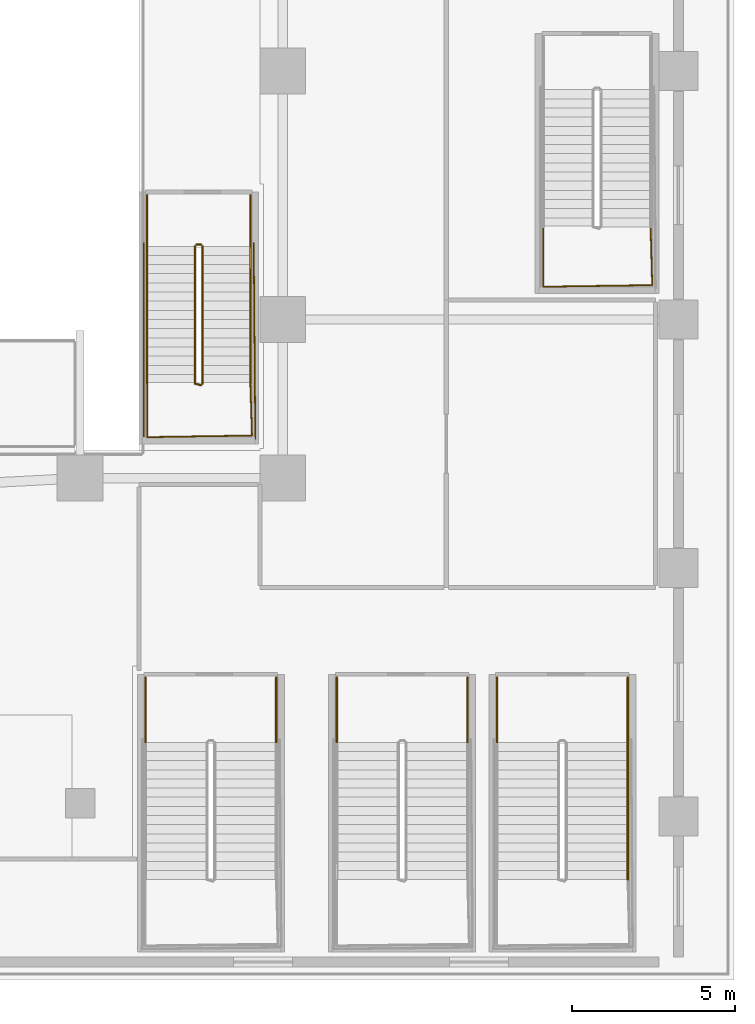
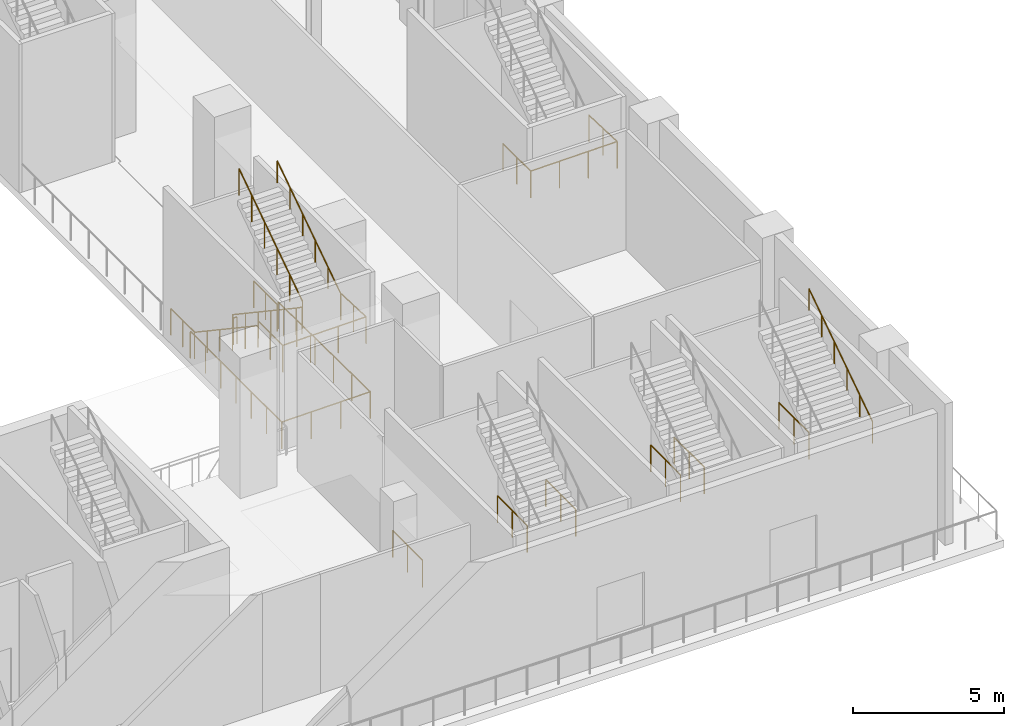
# One storey, part 27 of 30: 17 railings.
"""IFC4 building model written with IfcOpenShell, lengths in metres."""

from ifc_helpers import new_model, si_unit, direction, frame, origin, origin_2d, place, context, subcontext, project, spatial, circle, extrude, material, layer, layer_set, type_object, element, save


model = new_model("IFC4")

# Units and contexts
model_context = context("Model", 3, precision=1e-05, world=origin(), true_north=direction((0.0, 1.0)))
body_context = subcontext(model_context, "Body", "Model", "MODEL_VIEW")
ifc_project = project(units=[si_unit("LENGTHUNIT", "METRE"), si_unit("AREAUNIT", "SQUARE_METRE"), si_unit("VOLUMEUNIT", "CUBIC_METRE"), si_unit("PLANEANGLEUNIT", "RADIAN"), si_unit("MASSUNIT", "GRAM", prefix="KILO")], contexts=[model_context])

# Site, building, storey
site_placement = place(None, origin())
site = spatial("IfcSite", under=ifc_project, at=site_placement, CompositionType="ELEMENT")
building_placement = place(site_placement, origin())
building = spatial("IfcBuilding", under=site, at=building_placement, Name="Ndaravel Arena Tower", CompositionType="ELEMENT")
storey_placement = place(building_placement, frame((0.0, 0.0, 6.0)))
storey = spatial("IfcBuildingStorey", under=building, at=storey_placement, Name="L01", CompositionType="ELEMENT", Elevation=6.0)

# Railings
ifc_material_1 = material(Name="Steel S355", Category="steel")
ifc_layer_1 = layer(ifc_material_1, 0.06005859375)
ifc_layer_set_1 = layer_set([ifc_layer_1], Name="Steel S355")
railing_type_1 = type_object("IfcRailingType", Name="RAIL-STAIR-GD1100", PredefinedType="GUARDRAIL", material=ifc_layer_set_1)
for number, where, name in (
    (1, (66.0, 9.25, 0.0), "L01 ST-A04 stair guard 5"),
    (2, (70.0, 9.25, 0.0), "L01 ST-A04 stair guard 6"),
    (3, (71.85009765625, 9.25, 0.0), "L01 ST-A05 stair guard 5"),
    (4, (75.85009765625, 9.25, 0.0), "L01 ST-A05 stair guard 6"),
    (5, (76.75, 9.25, 0.0), "L01 ST-A06 stair guard 5"),
    (6, (80.75, 9.25, 0.0), "L01 ST-A06 stair guard 6"),
):
    element("IfcRailing", number, at=place(storey_placement, frame(where)), inside=storey, type_object=railing_type_1, Name=name, PredefinedType="GUARDRAIL", context=body_context, shape_type="SweptSolid", body=[
        extrude(circle(Radius=0.02392578125, at=origin_2d()), frame((0.0, 0.0, 1.076171875), z_axis=(0.0, -1.0, 0.0), x_axis=(1.0, 0.0, 0.0)), (0.0, 0.0, 1.0), 1.97998046875),
        extrude(circle(Radius=0.02099609375, at=origin_2d()), origin(), (0.0, 0.0, 1.0), 1.052001953125),
        extrude(circle(Radius=0.02099609375, at=origin_2d()), frame((0.0, -0.989990234375, 0.0)), (0.0, 0.0, 1.0), 1.052001953125),
        extrude(circle(Radius=0.02099609375, at=origin_2d()), frame((0.0, -1.97998046875, 0.0)), (0.0, 0.0, 1.0), 1.052001953125),
    ])
railing_1_placement = place(storey_placement, frame((78.169921875, 23.030029296875, 3.0)))
element("IfcRailing", 7, at=railing_1_placement, inside=storey, type_object=railing_type_1, Name="L01 ST-A12 stair guard 2", PredefinedType="GUARDRAIL", context=body_context, shape_type="SweptSolid", body=[
    extrude(circle(Radius=0.02392578125, at=origin_2d()), frame((0.0, 0.0, 1.076171875), z_axis=(0.0, -1.0, 0.0), x_axis=(1.0, 0.0, 0.0)), (0.0, 0.0, 1.0), 1.830078125),
    extrude(circle(Radius=0.02392578125, at=origin_2d()), frame((0.0, -1.830078125, 1.076171875), z_axis=(0.999887078817, 0.015027628384, 0.0), x_axis=(-0.015027628384, 0.999887078817, 0.0)), (0.0, 0.0, 1.0), 3.33056640625),
    extrude(circle(Radius=0.02392578125, at=origin_2d()), frame((3.330078125, -1.780029296875, 1.076171875), z_axis=(-0.028105748986, 0.999604955407, 0.0), x_axis=(-0.999604955407, -0.028105748986, 0.0)), (0.0, 0.0, 1.0), 1.78076171875),
    extrude(circle(Radius=0.02099609375, at=origin_2d()), origin(), (0.0, 0.0, 1.0), 1.052001953125),
    extrude(circle(Radius=0.02099609375, at=origin_2d()), frame((0.0, -0.9150390625, 0.0)), (0.0, 0.0, 1.0), 1.052001953125),
    extrude(circle(Radius=0.02099609375, at=origin_2d()), frame((0.0, -1.830078125, 0.0)), (0.0, 0.0, 1.0), 1.052001953125),
    extrude(circle(Radius=0.02099609375, at=origin_2d()), frame((1.110107421875, -1.8134765625, 0.0)), (0.0, 0.0, 1.0), 1.052001953125),
    extrude(circle(Radius=0.02099609375, at=origin_2d()), frame((2.219970703125, -1.796630859375, 0.0)), (0.0, 0.0, 1.0), 1.052001953125),
    extrude(circle(Radius=0.02099609375, at=origin_2d()), frame((3.330078125, -1.780029296875, 0.0)), (0.0, 0.0, 1.0), 1.052001953125),
    extrude(circle(Radius=0.02099609375, at=origin_2d()), frame((3.30517578125, -0.89013671875, 0.0)), (0.0, 0.0, 1.0), 1.052001953125),
    extrude(circle(Radius=0.02099609375, at=origin_2d()), frame((3.280029296875, 0.0, 0.0)), (0.0, 0.0, 1.0), 1.052001953125),
])
railing_2_placement = place(storey_placement, frame((67.510009765625, 22.43994140625, 0.1875)))
element("IfcRailing", 8, at=railing_2_placement, inside=storey, type_object=railing_type_1, Name="L01 ST-VOM-3 stair guard 1", PredefinedType="GUARDRAIL", context=body_context, shape_type="SweptSolid", body=[
    extrude(circle(Radius=0.02392578125, at=origin_2d()), frame((0.0, 0.0, 1.076171875), z_axis=(0.0, -0.830904186295, 0.556415522067), x_axis=(1.0, 0.0, 0.0)), (0.0, 0.0, 1.0), 5.0546875),
    extrude(circle(Radius=0.02392578125, at=origin_2d()), frame((0.0, -4.199951171875, 3.888671875), z_axis=(0.966993988697, -0.254799187253, 0.0), x_axis=(0.254799187253, 0.966993988697, 0.0)), (0.0, 0.0, 1.0), 0.196533203125),
    extrude(circle(Radius=0.02099609375, at=origin_2d()), origin(), (0.0, 0.0, 1.0), 1.052001953125),
    extrude(circle(Radius=0.02099609375, at=origin_2d()), frame((0.0, -0.840087890625, 0.5625)), (0.0, 0.0, 1.0), 1.052001953125),
    extrude(circle(Radius=0.02099609375, at=origin_2d()), frame((0.0, -1.679931640625, 1.125)), (0.0, 0.0, 1.0), 1.052001953125),
    extrude(circle(Radius=0.02099609375, at=origin_2d()), frame((0.0, -2.52001953125, 1.6875)), (0.0, 0.0, 1.0), 1.052001953125),
    extrude(circle(Radius=0.02099609375, at=origin_2d()), frame((0.0, -3.35986328125, 2.25)), (0.0, 0.0, 1.0), 1.052001953125),
    extrude(circle(Radius=0.02099609375, at=origin_2d()), frame((0.0, -4.199951171875, 2.8125)), (0.0, 0.0, 1.0), 1.052001953125),
    extrude(circle(Radius=0.02099609375, at=origin_2d()), frame((0.18994140625, -4.25, 2.8125)), (0.0, 0.0, 1.0), 1.052001953125),
])
railing_3_placement = place(storey_placement, frame((66.050048828125, 18.239990234375, 3.0)))
element("IfcRailing", 9, at=railing_3_placement, inside=storey, type_object=railing_type_1, Name="L01 ST-VOM-3 stair guard 2", PredefinedType="GUARDRAIL", context=body_context, shape_type="SweptSolid", body=[
    extrude(circle(Radius=0.02392578125, at=origin_2d()), frame((0.0, 0.0, 1.076171875), z_axis=(0.0, -1.0, 0.0), x_axis=(1.0, 0.0, 0.0)), (0.0, 0.0, 1.0), 1.639892578125),
    extrude(circle(Radius=0.02392578125, at=origin_2d()), frame((0.0, -1.639892578125, 1.076171875), z_axis=(0.999879653755, 0.01551380053, 0.0), x_axis=(-0.01551380053, 0.999879653755, 0.0)), (0.0, 0.0, 1.0), 3.21044921875),
    extrude(circle(Radius=0.02392578125, at=origin_2d()), frame((3.2099609375, -1.590087890625, 1.076171875), z_axis=(-0.031459930577, 0.999505013878, 0.0), x_axis=(-0.999505013878, -0.031459930577, 0.0)), (0.0, 0.0, 1.0), 1.5908203125),
    extrude(circle(Radius=0.02099609375, at=origin_2d()), origin(), (0.0, 0.0, 1.0), 1.052001953125),
    extrude(circle(Radius=0.02099609375, at=origin_2d()), frame((0.0, -0.81982421875, 0.0)), (0.0, 0.0, 1.0), 1.052001953125),
    extrude(circle(Radius=0.02099609375, at=origin_2d()), frame((0.0, -1.639892578125, 0.0)), (0.0, 0.0, 1.0), 1.052001953125),
    extrude(circle(Radius=0.02099609375, at=origin_2d()), frame((1.070068359375, -1.623291015625, 0.0)), (0.0, 0.0, 1.0), 1.052001953125),
    extrude(circle(Radius=0.02099609375, at=origin_2d()), frame((2.139892578125, -1.606689453125, 0.0)), (0.0, 0.0, 1.0), 1.052001953125),
    extrude(circle(Radius=0.02099609375, at=origin_2d()), frame((3.2099609375, -1.590087890625, 0.0)), (0.0, 0.0, 1.0), 1.052001953125),
    extrude(circle(Radius=0.02099609375, at=origin_2d()), frame((3.18505859375, -0.794921875, 0.0)), (0.0, 0.0, 1.0), 1.052001953125),
    extrude(circle(Radius=0.02099609375, at=origin_2d()), frame((3.159912109375, 0.0, 0.0)), (0.0, 0.0, 1.0), 1.052001953125),
])
railing_4_placement = place(storey_placement, frame((67.75, 18.239990234375, 3.1875)))
element("IfcRailing", 10, at=railing_4_placement, inside=storey, type_object=railing_type_1, Name="L01 ST-VOM-3 stair guard 3", PredefinedType="GUARDRAIL", context=body_context, shape_type="SweptSolid", body=[
    extrude(circle(Radius=0.02392578125, at=origin_2d()), frame((0.0, 0.0, 1.076171875), z_axis=(0.0, 0.830904186295, 0.556415522067), x_axis=(-1.0, 0.0, 0.0)), (0.0, 0.0, 1.0), 5.0546875),
    extrude(circle(Radius=0.02099609375, at=origin_2d()), origin(), (0.0, 0.0, 1.0), 1.052001953125),
    extrude(circle(Radius=0.02099609375, at=origin_2d()), frame((0.0, 0.840087890625, 0.5625)), (0.0, 0.0, 1.0), 1.052001953125),
    extrude(circle(Radius=0.02099609375, at=origin_2d()), frame((0.0, 1.679931640625, 1.125)), (0.0, 0.0, 1.0), 1.052001953125),
    extrude(circle(Radius=0.02099609375, at=origin_2d()), frame((0.0, 2.52001953125, 1.6875)), (0.0, 0.0, 1.0), 1.052001953125),
    extrude(circle(Radius=0.02099609375, at=origin_2d()), frame((0.0, 3.35986328125, 2.25)), (0.0, 0.0, 1.0), 1.052001953125),
    extrude(circle(Radius=0.02099609375, at=origin_2d()), frame((0.0, 4.199951171875, 2.8125)), (0.0, 0.0, 1.0), 1.052001953125),
])
railing_5_placement = place(storey_placement, frame((67.56005859375, 22.489990234375, 0.0)))
element("IfcRailing", 11, at=railing_5_placement, inside=storey, type_object=railing_type_1, Name="L01 ST-VOM-3 stair guard 4", PredefinedType="GUARDRAIL", context=body_context, shape_type="SweptSolid", body=[
    extrude(circle(Radius=0.02392578125, at=origin_2d()), frame((0.0, 0.0, 1.076171875), z_axis=(1.0, 0.0, 0.0), x_axis=(0.0, 1.0, 0.0)), (0.0, 0.0, 1.0), 0.139892578125),
    extrude(circle(Radius=0.02099609375, at=origin_2d()), origin(), (0.0, 0.0, 1.0), 1.052001953125),
    extrude(circle(Radius=0.02099609375, at=origin_2d()), frame((0.139892578125, 0.0, 0.0)), (0.0, 0.0, 1.0), 1.052001953125),
])
for number, where, name in (
    (12, (66.050048828125, 24.0, 0.0), "L01 ST-VOM-3 stair guard 5"),
    (13, (69.2099609375, 24.0, 0.0), "L01 ST-VOM-3 stair guard 6"),
):
    element("IfcRailing", number, at=place(storey_placement, frame(where)), inside=storey, type_object=railing_type_1, Name=name, PredefinedType="GUARDRAIL", context=body_context, shape_type="SweptSolid", body=[
        extrude(circle(Radius=0.02392578125, at=origin_2d()), frame((0.0, 0.0, 1.076171875), z_axis=(0.0, -1.0, 0.0), x_axis=(1.0, 0.0, 0.0)), (0.0, 0.0, 1.0), 1.56005859375),
        extrude(circle(Radius=0.02099609375, at=origin_2d()), origin(), (0.0, 0.0, 1.0), 1.052001953125),
        extrude(circle(Radius=0.02099609375, at=origin_2d()), frame((0.0, -0.780029296875, 0.0)), (0.0, 0.0, 1.0), 1.052001953125),
        extrude(circle(Radius=0.02099609375, at=origin_2d()), frame((0.0, -1.56005859375, 0.0)), (0.0, 0.0, 1.0), 1.052001953125),
    ])
railing_6_placement = place(storey_placement, frame((65.949951171875, 22.5400390625, 0.0)))
element("IfcRailing", 14, at=railing_6_placement, inside=storey, type_object=railing_type_1, Name="L01 ST-VOM-3 stair guard 7", PredefinedType="GUARDRAIL", context=body_context, shape_type="SweptSolid", body=[
    extrude(circle(Radius=0.02392578125, at=origin_2d()), frame((0.0, 0.0, 1.076171875), z_axis=(0.0, -1.0, 0.0), x_axis=(1.0, 0.0, 0.0)), (0.0, 0.0, 1.0), 6.0400390625),
    extrude(circle(Radius=0.02392578125, at=origin_2d()), frame((0.0, -6.0400390625, 1.076171875), z_axis=(0.99989231899, 0.014674822837, 0.0), x_axis=(-0.014674822837, 0.99989231899, 0.0)), (0.0, 0.0, 1.0), 3.41064453125),
    extrude(circle(Radius=0.02392578125, at=origin_2d()), frame((3.41015625, -5.989990234375, 1.076171875), z_axis=(-0.008355118995, 0.999965095384, 0.0), x_axis=(-0.999965095384, -0.008355118995, 0.0)), (0.0, 0.0, 1.0), 5.990234375),
    extrude(circle(Radius=0.02099609375, at=origin_2d()), origin(), (0.0, 0.0, 1.0), 1.052001953125),
    extrude(circle(Radius=0.02099609375, at=origin_2d()), frame((0.0, -1.006591796875, 0.0)), (0.0, 0.0, 1.0), 1.052001953125),
    extrude(circle(Radius=0.02099609375, at=origin_2d()), frame((0.0, -2.013427734375, 0.0)), (0.0, 0.0, 1.0), 1.052001953125),
    extrude(circle(Radius=0.02099609375, at=origin_2d()), frame((0.0, -3.02001953125, 0.0)), (0.0, 0.0, 1.0), 1.052001953125),
    extrude(circle(Radius=0.02099609375, at=origin_2d()), frame((0.0, -4.026611328125, 0.0)), (0.0, 0.0, 1.0), 1.052001953125),
    extrude(circle(Radius=0.02099609375, at=origin_2d()), frame((0.0, -5.033447265625, 0.0)), (0.0, 0.0, 1.0), 1.052001953125),
    extrude(circle(Radius=0.02099609375, at=origin_2d()), frame((0.0, -6.0400390625, 0.0)), (0.0, 0.0, 1.0), 1.052001953125),
    extrude(circle(Radius=0.02099609375, at=origin_2d()), frame((1.13671875, -6.0234375, 0.0)), (0.0, 0.0, 1.0), 1.052001953125),
    extrude(circle(Radius=0.02099609375, at=origin_2d()), frame((2.2734375, -6.006591796875, 0.0)), (0.0, 0.0, 1.0), 1.052001953125),
    extrude(circle(Radius=0.02099609375, at=origin_2d()), frame((3.41015625, -5.989990234375, 0.0)), (0.0, 0.0, 1.0), 1.052001953125),
    extrude(circle(Radius=0.02099609375, at=origin_2d()), frame((3.400146484375, -4.7919921875, 0.0)), (0.0, 0.0, 1.0), 1.052001953125),
    extrude(circle(Radius=0.02099609375, at=origin_2d()), frame((3.39013671875, -3.593994140625, 0.0)), (0.0, 0.0, 1.0), 1.052001953125),
    extrude(circle(Radius=0.02099609375, at=origin_2d()), frame((3.380126953125, -2.39599609375, 0.0)), (0.0, 0.0, 1.0), 1.052001953125),
    extrude(circle(Radius=0.02099609375, at=origin_2d()), frame((3.3701171875, -1.197998046875, 0.0)), (0.0, 0.0, 1.0), 1.052001953125),
    extrude(circle(Radius=0.02099609375, at=origin_2d()), frame((3.360107421875, 0.0, 0.0)), (0.0, 0.0, 1.0), 1.052001953125),
])
ifc_material_2 = material(Name="Steel S355", Category="steel")
ifc_layer_2 = layer(ifc_material_2, 0.050048828125)
ifc_layer_set_2 = layer_set([ifc_layer_2], Name="Steel S355")
railing_type_2 = type_object("IfcRailingType", Name="RAIL-STAIR-HR920", PredefinedType="HANDRAIL", material=ifc_layer_set_2)
railing_7_placement = place(storey_placement, frame((80.75, 3.070068359375, 3.1875)))
element("IfcRailing", 15, at=railing_7_placement, inside=storey, type_object=railing_type_2, Name="L01 ST-A06 stair handrail 2", PredefinedType="HANDRAIL", context=body_context, shape_type="SweptSolid", body=[
    extrude(circle(Radius=0.02392578125, at=origin_2d()), frame((0.0, 0.0, 0.8759765625), z_axis=(0.0, 0.830904186295, 0.556415522067), x_axis=(-1.0, 0.0, 0.0)), (0.0, 0.0, 1.0), 5.0546875),
    extrude(circle(Radius=0.02099609375, at=origin_2d()), origin(), (0.0, 0.0, 1.0), 0.851806640625),
    extrude(circle(Radius=0.02099609375, at=origin_2d()), frame((0.0, 0.840087890625, 0.5625)), (0.0, 0.0, 1.0), 0.851806640625),
    extrude(circle(Radius=0.02099609375, at=origin_2d()), frame((0.0, 1.679931640625, 1.125)), (0.0, 0.0, 1.0), 0.851806640625),
    extrude(circle(Radius=0.02099609375, at=origin_2d()), frame((0.0, 2.52001953125, 1.6875)), (0.0, 0.0, 1.0), 0.851806640625),
    extrude(circle(Radius=0.02099609375, at=origin_2d()), frame((0.0, 3.35986328125, 2.25)), (0.0, 0.0, 1.0), 0.851806640625),
    extrude(circle(Radius=0.02099609375, at=origin_2d()), frame((0.0, 4.199951171875, 2.8125)), (0.0, 0.0, 1.0), 0.851806640625),
])
railing_8_placement = place(storey_placement, frame((66.050048828125, 22.43994140625, 0.1875)))
element("IfcRailing", 16, at=railing_8_placement, inside=storey, type_object=railing_type_2, Name="L01 ST-VOM-3 stair handrail 1", PredefinedType="HANDRAIL", context=body_context, shape_type="SweptSolid", body=[
    extrude(circle(Radius=0.02392578125, at=origin_2d()), frame((0.0, 0.0, 0.8759765625), z_axis=(0.0, -0.830904186295, 0.556415522067), x_axis=(1.0, 0.0, 0.0)), (0.0, 0.0, 1.0), 5.0546875),
    extrude(circle(Radius=0.02099609375, at=origin_2d()), origin(), (0.0, 0.0, 1.0), 0.851806640625),
    extrude(circle(Radius=0.02099609375, at=origin_2d()), frame((0.0, -0.840087890625, 0.5625)), (0.0, 0.0, 1.0), 0.851806640625),
    extrude(circle(Radius=0.02099609375, at=origin_2d()), frame((0.0, -1.679931640625, 1.125)), (0.0, 0.0, 1.0), 0.851806640625),
    extrude(circle(Radius=0.02099609375, at=origin_2d()), frame((0.0, -2.52001953125, 1.6875)), (0.0, 0.0, 1.0), 0.851806640625),
    extrude(circle(Radius=0.02099609375, at=origin_2d()), frame((0.0, -3.35986328125, 2.25)), (0.0, 0.0, 1.0), 0.851806640625),
    extrude(circle(Radius=0.02099609375, at=origin_2d()), frame((0.0, -4.199951171875, 2.8125)), (0.0, 0.0, 1.0), 0.851806640625),
])
railing_9_placement = place(storey_placement, frame((69.2099609375, 18.239990234375, 3.1875)))
element("IfcRailing", 17, at=railing_9_placement, inside=storey, type_object=railing_type_2, Name="L01 ST-VOM-3 stair handrail 2", PredefinedType="HANDRAIL", context=body_context, shape_type="SweptSolid", body=[
    extrude(circle(Radius=0.02392578125, at=origin_2d()), frame((0.0, 0.0, 0.8759765625), z_axis=(0.0, 0.830904186295, 0.556415522067), x_axis=(-1.0, 0.0, 0.0)), (0.0, 0.0, 1.0), 5.0546875),
    extrude(circle(Radius=0.02099609375, at=origin_2d()), origin(), (0.0, 0.0, 1.0), 0.851806640625),
    extrude(circle(Radius=0.02099609375, at=origin_2d()), frame((0.0, 0.840087890625, 0.5625)), (0.0, 0.0, 1.0), 0.851806640625),
    extrude(circle(Radius=0.02099609375, at=origin_2d()), frame((0.0, 1.679931640625, 1.125)), (0.0, 0.0, 1.0), 0.851806640625),
    extrude(circle(Radius=0.02099609375, at=origin_2d()), frame((0.0, 2.52001953125, 1.6875)), (0.0, 0.0, 1.0), 0.851806640625),
    extrude(circle(Radius=0.02099609375, at=origin_2d()), frame((0.0, 3.35986328125, 2.25)), (0.0, 0.0, 1.0), 0.851806640625),
    extrude(circle(Radius=0.02099609375, at=origin_2d()), frame((0.0, 4.199951171875, 2.8125)), (0.0, 0.0, 1.0), 0.851806640625),
])

save(model, "model.ifc")
